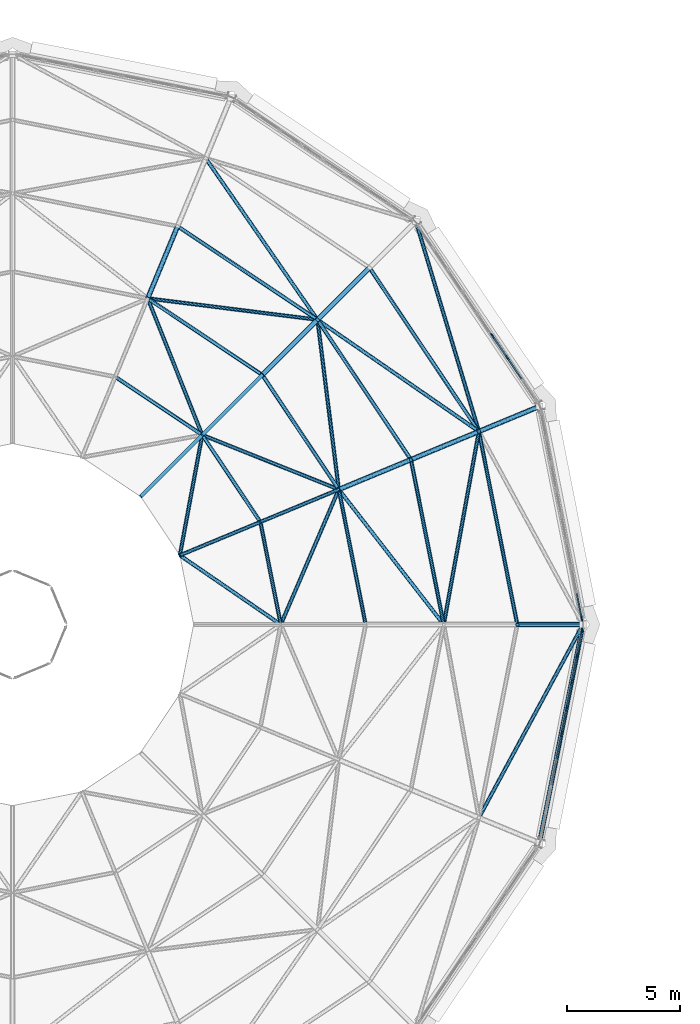
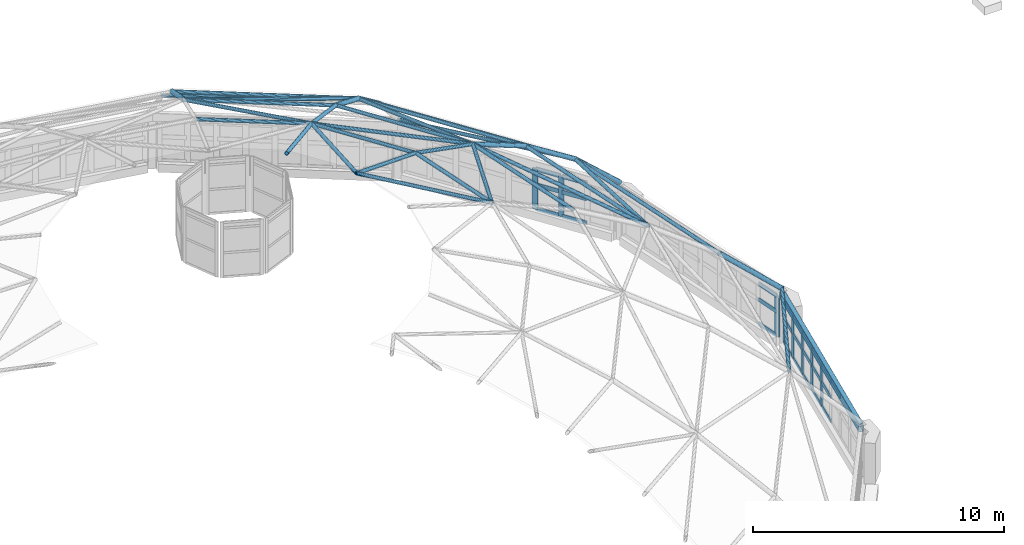
# One storey, part 22 of 68: 68 members, 1 beam, 3 elements without a shape of their own.
"""IFC4 building model written with IfcOpenShell, lengths in metres."""

from ifc_helpers import new_model, si_unit, direction, frame, origin, origin_2d, place, context, subcontext, project, spatial, rectangle, hollow_rectangle, hollow_circle, extrude, material, material_profile, profile_set, type_object, element, aggregate, save


model = new_model("IFC4")

# Units and contexts
model_context = context("Model", 3, precision=1e-05, world=origin(), true_north=direction((0.0, 1.0)))
body_context = subcontext(model_context, "Body", "Model", "MODEL_VIEW")
ifc_project = project(units=[si_unit("LENGTHUNIT", "METRE"), si_unit("AREAUNIT", "SQUARE_METRE"), si_unit("VOLUMEUNIT", "CUBIC_METRE"), si_unit("PLANEANGLEUNIT", "RADIAN"), si_unit("MASSUNIT", "GRAM", prefix="KILO")], contexts=[model_context])

# Site, building, storey
site_placement = place(None, origin())
site = spatial("IfcSite", under=ifc_project, at=site_placement, CompositionType="ELEMENT")
building_placement = place(site_placement, origin())
building = spatial("IfcBuilding", under=site, at=building_placement, Name="Kupolbacken Congress Centre", CompositionType="ELEMENT")
storey_placement = place(building_placement, frame((0.0, 0.0, 25.199951171875)))
storey = spatial("IfcBuildingStorey", under=building, at=storey_placement, Name="L07", CompositionType="ELEMENT", Elevation=25.199951171875)

# Beam
ifc_material_1 = material(Name="Steel S355", Category="steel")
ifc_material_profile_1 = material_profile(ifc_material_1, hollow_rectangle(XDim=0.199951171875, YDim=0.39990234375, WallThickness=0.012451171875, InnerFilletRadius=0.012451171875, OuterFilletRadius=0.018798828125, at=origin_2d()), Name="RHS 400 x 200 x 12.5")
ifc_profile_set_1 = profile_set([ifc_material_profile_1], Name="Steel S355")
beam_type = type_object("IfcBeamType", Name="B19 ring beam RHS 400 x 200 x 12.5", PredefinedType="BEAM", material=ifc_profile_set_1)
beam_placement = place(storey_placement, frame((66.485595703125, 76.77587890625, 2.590087890625), z_axis=(0.195109207038, 0.98078152375, 0.0), x_axis=(-0.98078152375, 0.195109207038, 0.0)))
element("IfcBeam", 1, at=beam_placement, inside=storey, type_object=beam_type, Name="DM/RB/16", PredefinedType="BEAM", context=body_context, shape_type="SweptSolid", body=[
    extrude(hollow_rectangle(XDim=0.199951171875, YDim=0.39990234375, WallThickness=0.012451171875, InnerFilletRadius=0.012451171875, OuterFilletRadius=0.018798828125, at=origin_2d()), origin(), (0.0, 0.0, 1.0), 9.792724609375),
])

# Members
ifc_material_2 = material(Name="Steel S355", Category="steel")
ifc_material_profile_2 = material_profile(ifc_material_2, hollow_circle(Radius=0.109619140625, WallThickness=0.010009765625, at=origin_2d()), Name="CHS 219.1 x 10")
ifc_profile_set_2 = profile_set([ifc_material_profile_2], Name="Steel S355")
member_type_1 = type_object("IfcMemberType", Name="M15 dome rib CHS 219.1 x 10", PredefinedType="BRACE", material=ifc_profile_set_2)
for number, where, z_axis, x_axis, name in (
    (2, (68.39990234375, 86.39990234375, 2.86279296875), (-0.727199888988, 0.0, 0.686425758153), (0.0, -1.0, 0.0), "DM/RIB01-01"),
    (3, (66.481689453125, 96.043701171875, 2.86279296875), (-0.671844865625, -0.278312990626, 0.686415585328), (0.382713638863, -0.923867019992, 0.0), "DM/RIB01-02"),
):
    element("IfcMember", number, at=place(storey_placement, frame(where, z_axis=z_axis, x_axis=x_axis)), inside=storey, type_object=member_type_1, Name=name, PredefinedType="BRACE", context=body_context, shape_type="SweptSolid", body=[
        extrude(hollow_circle(Radius=0.109619140625, WallThickness=0.010009765625, at=origin_2d()), origin(), (0.0, 0.0, 1.0), 3.98779296875),
    ])
for number, where, z_axis, x_axis, name in (
    (4, (63.802490234375, 94.933837890625, 5.60009765625), (-0.737757183108, -0.305564280897, 0.601950836043), (0.382656976802, -0.92389049032, 0.0), "DM/RIB02-02"),
    (5, (58.968505859375, 102.16845703125, 5.60009765625), (-0.564645261565, -0.564645261565, 0.601956358207), (0.707106781187, -0.707106781187, 0.0), "DM/RIB02-03"),
):
    element("IfcMember", number, at=place(storey_placement, frame(where, z_axis=z_axis, x_axis=x_axis)), inside=storey, type_object=member_type_1, Name=name, PredefinedType="BRACE", context=body_context, shape_type="SweptSolid", body=[
        extrude(hollow_circle(Radius=0.109619140625, WallThickness=0.010009765625, at=origin_2d()), origin(), (0.0, 0.0, 1.0), 4.070068359375),
    ])
for number, where, z_axis, x_axis, name in (
    (6, (60.7998046875, 93.690185546875, 8.050048828125), (-0.799269872687, -0.331095478475, 0.50154107982), (0.382710127237, -0.923868474682, 0.0), "DM/RIB03-02"),
    (7, (56.67041015625, 99.870361328125, 8.050048828125), (-0.611742244633, -0.611742244633, 0.501540479187), (0.707106781187, -0.707106781187, 0.0), "DM/RIB03-03"),
    (8, (50.490234375, 104.0, 8.050048828125), (-0.331079277244, -0.799291982933, 0.501516538311), (0.923878838758, -0.38268510723, 0.0), "DM/RIB03-04"),
):
    element("IfcMember", number, at=place(storey_placement, frame(where, z_axis=z_axis, x_axis=x_axis)), inside=storey, type_object=member_type_1, Name=name, PredefinedType="BRACE", context=body_context, shape_type="SweptSolid", body=[
        extrude(hollow_circle(Radius=0.109619140625, WallThickness=0.010009765625, at=origin_2d()), origin(), (0.0, 0.0, 1.0), 3.98779296875),
    ])
ifc_material_3 = material(Name="Steel S355", Category="steel")
ifc_material_profile_3 = material_profile(ifc_material_3, hollow_circle(Radius=0.084228515625, WallThickness=0.008056640625, at=origin_2d()), Name="CHS 168.3 x 8")
ifc_profile_set_3 = profile_set([ifc_material_profile_3], Name="Steel S355")
member_type_2 = type_object("IfcMemberType", Name="M16 dome rib CHS 168.3 x 8", PredefinedType="BRACE", material=ifc_profile_set_3)
for number, where, z_axis, x_axis, name in (
    (9, (57.612548828125, 92.369873046875, 10.050048828125), (-0.845652822818, -0.350274631282, 0.402714521641), (0.382677616283, -0.92388194159, 0.0), "DM/RIB04-02"),
    (10, (54.23095703125, 97.430908203125, 10.050048828125), (-0.647264758158, -0.647205168326, 0.402708086507), (0.707074229373, -0.707139331502, 0.0), "DM/RIB04-03"),
):
    element("IfcMember", number, at=place(storey_placement, frame(where, z_axis=z_axis, x_axis=x_axis)), inside=storey, type_object=member_type_2, Name=name, PredefinedType="BRACE", context=body_context, shape_type="SweptSolid", body=[
        extrude(hollow_circle(Radius=0.084228515625, WallThickness=0.008056640625, at=origin_2d()), origin(), (0.0, 0.0, 1.0), 4.096923828125),
    ])
for number, where, z_axis, x_axis, name in (
    (11, (54.14794921875, 90.934814453125, 11.699951171875), (-0.885215241603, -0.366687760524, 0.28624126592), (0.382700894154, -0.923872299408, 0.0), "DM/RIB05-02"),
    (12, (51.5791015625, 94.779296875, 11.699951171875), (-0.677488256069, -0.677549017347, 0.286246383349), (0.707138487878, -0.707075073073, 0.0), "DM/RIB05-03"),
):
    element("IfcMember", number, at=place(storey_placement, frame(where, z_axis=z_axis, x_axis=x_axis)), inside=storey, type_object=member_type_2, Name=name, PredefinedType="BRACE", context=body_context, shape_type="SweptSolid", body=[
        extrude(hollow_circle(Radius=0.084228515625, WallThickness=0.008056640625, at=origin_2d()), origin(), (0.0, 0.0, 1.0), 4.01806640625),
    ])
member_1_placement = place(storey_placement, frame((63.802490234375, 94.933837890625, 5.60009765625), z_axis=(-0.276342224916, 0.921835584423, -0.271761163561), x_axis=(-0.957885879919, -0.287149161678, 0.0)))
element("IfcMember", 13, at=member_1_placement, inside=storey, type_object=member_type_2, Name="DM/DIA01-02", PredefinedType="BRACE", context=body_context, shape_type="SweptSolid", body=[
    extrude(hollow_circle(Radius=0.084228515625, WallThickness=0.008056640625, at=origin_2d()), origin(), (0.0, 0.0, 1.0), 10.072509765625),
])
member_2_placement = place(storey_placement, frame((63.802490234375, 77.8662109375, 5.60009765625), z_axis=(0.456437324519, 0.847236484585, -0.271763330811), x_axis=(-0.88036998718, 0.47428755589, 0.0)))
element("IfcMember", 14, at=member_2_placement, inside=storey, type_object=member_type_2, Name="DM/DIA01-16", PredefinedType="BRACE", context=body_context, shape_type="SweptSolid", body=[
    extrude(hollow_circle(Radius=0.084228515625, WallThickness=0.008056640625, at=origin_2d()), origin(), (0.0, 0.0, 1.0), 10.072265625),
])
member_3_placement = place(storey_placement, frame((62.25, 86.39990234375, 8.050048828125), z_axis=(0.172243352288, 0.946810249917, -0.271813499011), x_axis=(-0.983852342095, 0.178982035285, 0.0)))
element("IfcMember", 15, at=member_3_placement, inside=storey, type_object=member_type_2, Name="DM/DIA02-01", PredefinedType="BRACE", context=body_context, shape_type="SweptSolid", body=[
    extrude(hollow_circle(Radius=0.084228515625, WallThickness=0.008056640625, at=origin_2d()), origin(), (0.0, 0.0, 1.0), 9.013427734375),
])
for number, where, z_axis, x_axis, name in (
    (16, (63.802490234375, 94.933837890625, 5.60009765625), (-0.791291238363, 0.547698245292, 0.271817600964), (-0.569126549041, -0.822249944467, 0.0), "DM/DIA02-02"),
    (17, (56.67041015625, 99.870361328125, 8.050048828125), (-0.547698245292, 0.791291238363, -0.271817600964), (-0.822249944467, -0.569126549041, 0.0), "DM/DIA02-03"),
):
    element("IfcMember", number, at=place(storey_placement, frame(where, z_axis=z_axis, x_axis=x_axis)), inside=storey, type_object=member_type_2, Name=name, PredefinedType="BRACE", context=body_context, shape_type="SweptSolid", body=[
        extrude(hollow_circle(Radius=0.084228515625, WallThickness=0.008056640625, at=origin_2d()), origin(), (0.0, 0.0, 1.0), 9.01318359375),
    ])
for number, where, z_axis, x_axis, name in (
    (18, (62.25, 86.39990234375, 8.050048828125), (-0.593053038879, 0.763460171609, 0.255766806765), (-0.789727693919, -0.613457553102, 0.0), "DM/DIA03-01"),
    (19, (57.612548828125, 92.369873046875, 10.050048828125), (-0.120485430694, 0.959200155943, -0.255770056555), (-0.99220316794, -0.124630949322, 0.0), "DM/DIA03-02"),
    (20, (56.67041015625, 99.870361328125, 8.050048828125), (-0.959200155943, 0.120485430694, 0.255770056555), (-0.124630949322, -0.99220316794, 0.0), "DM/DIA03-03"),
):
    element("IfcMember", number, at=place(storey_placement, frame(where, z_axis=z_axis, x_axis=x_axis)), inside=storey, type_object=member_type_2, Name=name, PredefinedType="BRACE", context=body_context, shape_type="SweptSolid", body=[
        extrude(hollow_circle(Radius=0.084228515625, WallThickness=0.008056640625, at=origin_2d()), origin(), (0.0, 0.0, 1.0), 7.819580078125),
    ])
for number, where, z_axis, x_axis, name in (
    (21, (55.050048828125, 86.39990234375, 11.699951171875), (0.38229608389, 0.890652261752, -0.246146811635), (-0.918925242936, 0.394431740476, 0.0), "DM/DIA04-01"),
    (22, (57.612548828125, 92.369873046875, 10.050048828125), (-0.900113707655, 0.359455435635, 0.246144476038), (-0.370865808753, -0.928686465874, 0.0), "DM/DIA04-02"),
):
    element("IfcMember", number, at=place(storey_placement, frame(where, z_axis=z_axis, x_axis=x_axis)), inside=storey, type_object=member_type_2, Name=name, PredefinedType="BRACE", context=body_context, shape_type="SweptSolid", body=[
        extrude(hollow_circle(Radius=0.084228515625, WallThickness=0.008056640625, at=origin_2d()), origin(), (0.0, 0.0, 1.0), 6.702880859375),
    ])
member_4_placement = place(storey_placement, frame((51.5791015625, 94.779296875, 11.699951171875), z_axis=(-0.359435502637, 0.900118579364, -0.246155768831), x_axis=(-0.928694240238, -0.370846340347, 0.0)))
element("IfcMember", 23, at=member_4_placement, inside=storey, type_object=member_type_2, Name="DM/DIA04-03", PredefinedType="BRACE", context=body_context, shape_type="SweptSolid", body=[
    extrude(hollow_circle(Radius=0.084228515625, WallThickness=0.008056640625, at=origin_2d()), origin(), (0.0, 0.0, 1.0), 6.70263671875),
])
for number, where, z_axis, x_axis, name in (
    (24, (55.050048828125, 86.39990234375, 11.699951171875), (-0.806360510339, 0.553644371422, 0.207991916569), (-0.56602298576, -0.824389458685, 0.0), "DM/DIA05-01"),
    (25, (50.591064453125, 89.46142578125, 12.85009765625), (0.178674668833, 0.96167324846, -0.207990206294), (-0.983174378952, 0.182669484511, 0.0), "DM/DIA05-02"),
):
    element("IfcMember", number, at=place(storey_placement, frame(where, z_axis=z_axis, x_axis=x_axis)), inside=storey, type_object=member_type_2, Name=name, PredefinedType="BRACE", context=body_context, shape_type="SweptSolid", body=[
        extrude(hollow_circle(Radius=0.084228515625, WallThickness=0.008056640625, at=origin_2d()), origin(), (0.0, 0.0, 1.0), 5.52978515625),
    ])
ifc_material_4 = material(Name="Steel S355", Category="steel")
ifc_material_profile_4 = material_profile(ifc_material_4, hollow_circle(Radius=0.084228515625, WallThickness=0.008056640625, at=origin_2d()), Name="CHS 168.3 x 8")
ifc_profile_set_4 = profile_set([ifc_material_profile_4], Name="Steel S355")
member_type_3 = type_object("IfcMemberType", Name="M17 dome ring CHS 168.3 x 8", PredefinedType="BRACE", material=ifc_profile_set_4)
member_5_placement = place(storey_placement, frame((65.5, 86.39990234375, 5.60009765625), z_axis=(-0.195090813198, 0.980785182701, 0.0), x_axis=(-0.980785182701, -0.195090813198, 0.0)))
element("IfcMember", 26, at=member_5_placement, inside=storey, type_object=member_type_3, Name="DM/RNG01-01", PredefinedType="BRACE", context=body_context, shape_type="SweptSolid", body=[
    extrude(hollow_circle(Radius=0.084228515625, WallThickness=0.008056640625, at=origin_2d()), origin(), (0.0, 0.0, 1.0), 8.701171875),
])
member_6_placement = place(storey_placement, frame((63.802490234375, 94.933837890625, 5.60009765625), z_axis=(-0.555567564243, 0.831471395516, 0.0), x_axis=(-0.831471395516, -0.555567564243, 0.0)))
element("IfcMember", 27, at=member_6_placement, inside=storey, type_object=member_type_3, Name="DM/RNG01-02", PredefinedType="BRACE", context=body_context, shape_type="SweptSolid", body=[
    extrude(hollow_circle(Radius=0.084228515625, WallThickness=0.008056640625, at=origin_2d()), origin(), (0.0, 0.0, 1.0), 8.700927734375),
])
member_7_placement = place(storey_placement, frame((62.25, 86.39990234375, 8.050048828125), z_axis=(-0.195099098992, 0.980783534513, 0.0), x_axis=(-0.980783534513, -0.195099098992, 0.0)))
element("IfcMember", 28, at=member_7_placement, inside=storey, type_object=member_type_3, Name="DM/RNG02-01", PredefinedType="BRACE", context=body_context, shape_type="SweptSolid", body=[
    extrude(hollow_circle(Radius=0.084228515625, WallThickness=0.008056640625, at=origin_2d()), origin(), (0.0, 0.0, 1.0), 7.43310546875),
])
for number, where, z_axis, x_axis, name in (
    (29, (60.7998046875, 93.690185546875, 8.050048828125), (-0.555564010073, 0.831473770309, 0.0), (-0.831473770309, -0.555564010073, 0.0), "DM/RNG02-02"),
    (30, (56.67041015625, 99.870361328125, 8.050048828125), (-0.831458597311, 0.555586717766, 0.0), (-0.555586717766, -0.831458597311, 0.0), "DM/RNG02-03"),
):
    element("IfcMember", number, at=place(storey_placement, frame(where, z_axis=z_axis, x_axis=x_axis)), inside=storey, type_object=member_type_3, Name=name, PredefinedType="BRACE", context=body_context, shape_type="SweptSolid", body=[
        extrude(hollow_circle(Radius=0.084228515625, WallThickness=0.008056640625, at=origin_2d()), origin(), (0.0, 0.0, 1.0), 7.432861328125),
    ])
for number, where, z_axis, x_axis, name in (
    (31, (58.800048828125, 86.39990234375, 10.050048828125), (-0.195090163074, 0.980785312019, 0.0), (-0.980785312019, -0.195090163074, 0.0), "DM/RNG03-01"),
    (32, (57.612548828125, 92.369873046875, 10.050048828125), (-0.555560717191, 0.831475970497, 0.0), (-0.831475970497, -0.555560717191, 0.0), "DM/RNG03-02"),
    (33, (54.23095703125, 97.430908203125, 10.050048828125), (-0.831475970497, 0.555560717191, 0.0), (-0.555560717191, -0.831475970497, 0.0), "DM/RNG03-03"),
):
    element("IfcMember", number, at=place(storey_placement, frame(where, z_axis=z_axis, x_axis=x_axis)), inside=storey, type_object=member_type_3, Name=name, PredefinedType="BRACE", context=body_context, shape_type="SweptSolid", body=[
        extrude(hollow_circle(Radius=0.084228515625, WallThickness=0.008056640625, at=origin_2d()), origin(), (0.0, 0.0, 1.0), 6.0869140625),
    ])
for number, where, z_axis, x_axis, name in (
    (34, (55.050048828125, 86.39990234375, 11.699951171875), (-0.195100621324, 0.980783231687, 0.0), (-0.980783231687, -0.195100621324, 0.0), "DM/RNG04-01"),
    (35, (54.14794921875, 90.934814453125, 11.699951171875), (-0.555577204826, 0.831464953848, 0.0), (-0.831464953848, -0.555577204826, 0.0), "DM/RNG04-02"),
):
    element("IfcMember", number, at=place(storey_placement, frame(where, z_axis=z_axis, x_axis=x_axis)), inside=storey, type_object=member_type_3, Name=name, PredefinedType="BRACE", context=body_context, shape_type="SweptSolid", body=[
        extrude(hollow_circle(Radius=0.084228515625, WallThickness=0.008056640625, at=origin_2d()), origin(), (0.0, 0.0, 1.0), 4.623779296875),
    ])
member_8_placement = place(storey_placement, frame((51.5791015625, 94.779296875, 11.699951171875), z_axis=(-0.831473047603, 0.555565091695, 0.0), x_axis=(-0.555565091695, -0.831473047603, 0.0)))
element("IfcMember", 36, at=member_8_placement, inside=storey, type_object=member_type_3, Name="DM/RNG04-03", PredefinedType="BRACE", context=body_context, shape_type="SweptSolid", body=[
    extrude(hollow_circle(Radius=0.084228515625, WallThickness=0.008056640625, at=origin_2d()), origin(), (0.0, 0.0, 1.0), 4.623291015625),
])

# Curtain wall, members
ifc_material_5 = material(Name="Aluminium mullion-transom frame with glass", Category="aluminium")
curtain_wall_type = type_object("IfcCurtainWallType", Name="CW3 curtain wall 9830x3600", PredefinedType="NOTDEFINED", material=ifc_material_5)
curtain_wall_1_placement = place(storey_placement, origin())
curtain_wall_1 = element("IfcCurtainWall", 37, at=curtain_wall_1_placement, inside=storey, type_object=curtain_wall_type, Name="E/P/drum/cw/L07/07", PredefinedType="NOTDEFINED")
ifc_material_6 = material(Name="Aluminium alloy", Category="aluminium")
ifc_material_profile_5 = material_profile(ifc_material_6, rectangle(XDim=0.06005859375, YDim=0.25, at=origin_2d()), Name="60 x 250")
ifc_profile_set_5 = profile_set([ifc_material_profile_5], Name="Aluminium alloy")
member_type_4 = type_object("IfcMemberType", Name="MU3 mullion 60x250", PredefinedType="MULLION", material=ifc_profile_set_5)
member_9_placement = place(storey_placement, frame((67.449951171875, 81.574951171875, 0.400146484375), z_axis=(0.0, 0.0, 1.0), x_axis=(-0.981162875481, 0.193182327812, 0.0)))
member_9 = element("IfcMember", 38, at=member_9_placement, type_object=member_type_4, Name="CW3 mullion 5", PredefinedType="MULLION", context=body_context, shape_type="SweptSolid", body=[
    extrude(rectangle(XDim=0.06005859375, YDim=0.25, at=origin_2d()), origin(), (0.0, 0.0, 1.0), 1.989990234375),
])
member_10_placement = place(storey_placement, frame((67.675537109375, 82.719970703125, 0.400146484375), z_axis=(0.0, 0.0, 1.0), x_axis=(-0.981162875481, 0.193182327812, 0.0)))
member_10 = element("IfcMember", 39, at=member_10_placement, type_object=member_type_4, Name="CW3 mullion 6", PredefinedType="MULLION", context=body_context, shape_type="SweptSolid", body=[
    extrude(rectangle(XDim=0.06005859375, YDim=0.25, at=origin_2d()), origin(), (0.0, 0.0, 1.0), 1.989990234375),
])
member_11_placement = place(storey_placement, frame((67.90087890625, 83.86474609375, 0.400146484375), z_axis=(0.0, 0.0, 1.0), x_axis=(-0.981162875481, 0.193182327812, 0.0)))
member_11 = element("IfcMember", 40, at=member_11_placement, type_object=member_type_4, Name="CW3 mullion 7", PredefinedType="MULLION", context=body_context, shape_type="SweptSolid", body=[
    extrude(rectangle(XDim=0.06005859375, YDim=0.25, at=origin_2d()), origin(), (0.0, 0.0, 1.0), 1.989990234375),
])
member_12_placement = place(storey_placement, frame((68.126220703125, 85.009765625, 0.400146484375), z_axis=(0.0, 0.0, 1.0), x_axis=(-0.981162875481, 0.193182327812, 0.0)))
member_12 = element("IfcMember", 41, at=member_12_placement, type_object=member_type_4, Name="CW3 mullion 8", PredefinedType="MULLION", context=body_context, shape_type="SweptSolid", body=[
    extrude(rectangle(XDim=0.06005859375, YDim=0.25, at=origin_2d()), origin(), (0.0, 0.0, 1.0), 1.989990234375),
])
member_13_placement = place(storey_placement, frame((68.345947265625, 86.125244140625, 0.400146484375), z_axis=(0.0, 0.0, 1.0), x_axis=(-0.981162875481, 0.193182327812, 0.0)))
member_13 = element("IfcMember", 42, at=member_13_placement, type_object=member_type_4, Name="CW3 mullion 9", PredefinedType="MULLION", context=body_context, shape_type="SweptSolid", body=[
    extrude(rectangle(XDim=0.06005859375, YDim=0.25, at=origin_2d()), origin(), (0.0, 0.0, 1.0), 1.989990234375),
])

# Curtain wall, member
curtain_wall_2_placement = place(storey_placement, origin())
curtain_wall_2 = element("IfcCurtainWall", 43, at=curtain_wall_2_placement, inside=storey, type_object=curtain_wall_type, Name="E/P/drum/cw/L07/08", PredefinedType="NOTDEFINED")
member_14_placement = place(storey_placement, frame((68.345947265625, 86.6748046875, 0.400146484375), z_axis=(0.0, 0.0, 1.0), x_axis=(-0.981162875481, -0.193182327812, 0.0)))
member_14 = element("IfcMember", 44, at=member_14_placement, type_object=member_type_4, Name="CW3 mullion 1", PredefinedType="MULLION", context=body_context, shape_type="SweptSolid", body=[
    extrude(rectangle(XDim=0.06005859375, YDim=0.25, at=origin_2d()), origin(), (0.0, 0.0, 1.0), 1.989990234375),
])

# Curtain wall, members
curtain_wall_3_placement = place(storey_placement, origin())
curtain_wall_3 = element("IfcCurtainWall", 45, at=curtain_wall_3_placement, inside=storey, type_object=curtain_wall_type, Name="E/P/drum/cw/L07/09", PredefinedType="NOTDEFINED")
member_15_placement = place(storey_placement, frame((65.05517578125, 98.191162109375, 0.400146484375), z_axis=(0.0, 0.0, 1.0), x_axis=(-0.82890762338, -0.559385512775, 0.0)))
member_15 = element("IfcMember", 46, at=member_15_placement, type_object=member_type_4, Name="CW3 mullion 3", PredefinedType="MULLION", context=body_context, shape_type="SweptSolid", body=[
    extrude(rectangle(XDim=0.06005859375, YDim=0.25, at=origin_2d()), origin(), (0.0, 0.0, 1.0), 1.989990234375),
])
member_16_placement = place(storey_placement, frame((64.402587890625, 99.157958984375, 0.400146484375), z_axis=(0.0, 0.0, 1.0), x_axis=(-0.82890762338, -0.559385512775, 0.0)))
member_16 = element("IfcMember", 47, at=member_16_placement, type_object=member_type_4, Name="CW3 mullion 4", PredefinedType="MULLION", context=body_context, shape_type="SweptSolid", body=[
    extrude(rectangle(XDim=0.06005859375, YDim=0.25, at=origin_2d()), origin(), (0.0, 0.0, 1.0), 1.989990234375),
])

# Member
ifc_material_7 = material(Name="Aluminium alloy", Category="aluminium")
ifc_material_profile_6 = material_profile(ifc_material_7, rectangle(XDim=0.06005859375, YDim=0.199951171875, at=origin_2d()), Name="60 x 200")
ifc_profile_set_6 = profile_set([ifc_material_profile_6], Name="Aluminium alloy")
member_type_5 = type_object("IfcMemberType", Name="TR3 transom 60x200", PredefinedType="MULLION", material=ifc_profile_set_6)
member_17_placement = place(storey_placement, frame((67.0048828125, 79.314697265625, 2.360107421875), z_axis=(0.193230739208, 0.981153342462, 0.0), x_axis=(-0.981153342462, 0.193230739208, 0.0)))
member_17 = element("IfcMember", 48, at=member_17_placement, type_object=member_type_5, Name="CW3 transom 3.3", PredefinedType="MULLION", context=body_context, shape_type="SweptSolid", body=[
    extrude(rectangle(XDim=0.06005859375, YDim=0.199951171875, at=origin_2d()), origin(), (0.0, 0.0, 1.0), 1.106689453125),
])

member_18_placement = place(storey_placement, frame((67.23046875, 80.45947265625, 0.429931640625), z_axis=(0.192976609908, 0.981203357122, 0.0), x_axis=(-0.981203357122, 0.192976609908, 0.0)))
member_18 = element("IfcMember", 49, at=member_18_placement, type_object=member_type_5, Name="CW3 transom 4.1", PredefinedType="MULLION", context=body_context, shape_type="SweptSolid", body=[
    extrude(rectangle(XDim=0.06005859375, YDim=0.199951171875, at=origin_2d()), origin(), (0.0, 0.0, 1.0), 1.10693359375),
])

member_19_placement = place(storey_placement, frame((67.23046875, 80.45947265625, 1.60009765625), z_axis=(0.192976609908, 0.981203357122, 0.0), x_axis=(-0.981203357122, 0.192976609908, 0.0)))
member_19 = element("IfcMember", 50, at=member_19_placement, type_object=member_type_5, Name="CW3 transom 4.2", PredefinedType="MULLION", context=body_context, shape_type="SweptSolid", body=[
    extrude(rectangle(XDim=0.06005859375, YDim=0.199951171875, at=origin_2d()), origin(), (0.0, 0.0, 1.0), 1.10693359375),
])

member_20_placement = place(storey_placement, frame((67.23046875, 80.45947265625, 2.360107421875), z_axis=(0.192976609908, 0.981203357122, 0.0), x_axis=(-0.981203357122, 0.192976609908, 0.0)))
member_20 = element("IfcMember", 51, at=member_20_placement, type_object=member_type_5, Name="CW3 transom 4.3", PredefinedType="MULLION", context=body_context, shape_type="SweptSolid", body=[
    extrude(rectangle(XDim=0.06005859375, YDim=0.199951171875, at=origin_2d()), origin(), (0.0, 0.0, 1.0), 1.10693359375),
])

member_21_placement = place(storey_placement, frame((67.455810546875, 81.6044921875, 0.429931640625), z_axis=(0.193230739208, 0.981153342462, 0.0), x_axis=(-0.981153342462, 0.193230739208, 0.0)))
member_21 = element("IfcMember", 52, at=member_21_placement, type_object=member_type_5, Name="CW3 transom 5.1", PredefinedType="MULLION", context=body_context, shape_type="SweptSolid", body=[
    extrude(rectangle(XDim=0.06005859375, YDim=0.199951171875, at=origin_2d()), origin(), (0.0, 0.0, 1.0), 1.106689453125),
])

member_22_placement = place(storey_placement, frame((67.455810546875, 81.6044921875, 1.60009765625), z_axis=(0.193230739208, 0.981153342462, 0.0), x_axis=(-0.981153342462, 0.193230739208, 0.0)))
member_22 = element("IfcMember", 53, at=member_22_placement, type_object=member_type_5, Name="CW3 transom 5.2", PredefinedType="MULLION", context=body_context, shape_type="SweptSolid", body=[
    extrude(rectangle(XDim=0.06005859375, YDim=0.199951171875, at=origin_2d()), origin(), (0.0, 0.0, 1.0), 1.106689453125),
])

member_23_placement = place(storey_placement, frame((67.455810546875, 81.6044921875, 2.360107421875), z_axis=(0.193230739208, 0.981153342462, 0.0), x_axis=(-0.981153342462, 0.193230739208, 0.0)))
member_23 = element("IfcMember", 54, at=member_23_placement, type_object=member_type_5, Name="CW3 transom 5.3", PredefinedType="MULLION", context=body_context, shape_type="SweptSolid", body=[
    extrude(rectangle(XDim=0.06005859375, YDim=0.199951171875, at=origin_2d()), origin(), (0.0, 0.0, 1.0), 1.106689453125),
])

member_24_placement = place(storey_placement, frame((67.68115234375, 82.749267578125, 0.429931640625), z_axis=(0.193188927968, 0.981161575945, 0.0), x_axis=(-0.981161575945, 0.193188927968, 0.0)))
member_24 = element("IfcMember", 55, at=member_24_placement, type_object=member_type_5, Name="CW3 transom 6.1", PredefinedType="MULLION", context=body_context, shape_type="SweptSolid", body=[
    extrude(rectangle(XDim=0.06005859375, YDim=0.199951171875, at=origin_2d()), origin(), (0.0, 0.0, 1.0), 1.10693359375),
])

member_25_placement = place(storey_placement, frame((67.68115234375, 82.749267578125, 1.60009765625), z_axis=(0.193188927968, 0.981161575945, 0.0), x_axis=(-0.981161575945, 0.193188927968, 0.0)))
member_25 = element("IfcMember", 56, at=member_25_placement, type_object=member_type_5, Name="CW3 transom 6.2", PredefinedType="MULLION", context=body_context, shape_type="SweptSolid", body=[
    extrude(rectangle(XDim=0.06005859375, YDim=0.199951171875, at=origin_2d()), origin(), (0.0, 0.0, 1.0), 1.10693359375),
])

member_26_placement = place(storey_placement, frame((67.68115234375, 82.749267578125, 2.360107421875), z_axis=(0.193188927968, 0.981161575945, 0.0), x_axis=(-0.981161575945, 0.193188927968, 0.0)))
member_26 = element("IfcMember", 57, at=member_26_placement, type_object=member_type_5, Name="CW3 transom 6.3", PredefinedType="MULLION", context=body_context, shape_type="SweptSolid", body=[
    extrude(rectangle(XDim=0.06005859375, YDim=0.199951171875, at=origin_2d()), origin(), (0.0, 0.0, 1.0), 1.10693359375),
])

member_27_placement = place(storey_placement, frame((67.90673828125, 83.894287109375, 0.429931640625), z_axis=(0.192976609908, 0.981203357122, 0.0), x_axis=(-0.981203357122, 0.192976609908, 0.0)))
member_27 = element("IfcMember", 58, at=member_27_placement, type_object=member_type_5, Name="CW3 transom 7.1", PredefinedType="MULLION", context=body_context, shape_type="SweptSolid", body=[
    extrude(rectangle(XDim=0.06005859375, YDim=0.199951171875, at=origin_2d()), origin(), (0.0, 0.0, 1.0), 1.10693359375),
])

member_28_placement = place(storey_placement, frame((67.90673828125, 83.894287109375, 1.60009765625), z_axis=(0.192976609908, 0.981203357122, 0.0), x_axis=(-0.981203357122, 0.192976609908, 0.0)))
member_28 = element("IfcMember", 59, at=member_28_placement, type_object=member_type_5, Name="CW3 transom 7.2", PredefinedType="MULLION", context=body_context, shape_type="SweptSolid", body=[
    extrude(rectangle(XDim=0.06005859375, YDim=0.199951171875, at=origin_2d()), origin(), (0.0, 0.0, 1.0), 1.10693359375),
])

member_29_placement = place(storey_placement, frame((67.90673828125, 83.894287109375, 2.360107421875), z_axis=(0.192976609908, 0.981203357122, 0.0), x_axis=(-0.981203357122, 0.192976609908, 0.0)))
member_29 = element("IfcMember", 60, at=member_29_placement, type_object=member_type_5, Name="CW3 transom 7.3", PredefinedType="MULLION", context=body_context, shape_type="SweptSolid", body=[
    extrude(rectangle(XDim=0.06005859375, YDim=0.199951171875, at=origin_2d()), origin(), (0.0, 0.0, 1.0), 1.10693359375),
])

member_30_placement = place(storey_placement, frame((68.132080078125, 85.039306640625, 0.429931640625), z_axis=(0.193150665626, 0.981169108955, 0.0), x_axis=(-0.981169108955, 0.193150665626, 0.0)))
member_30 = element("IfcMember", 61, at=member_30_placement, type_object=member_type_5, Name="CW3 transom 8.1", PredefinedType="MULLION", context=body_context, shape_type="SweptSolid", body=[
    extrude(rectangle(XDim=0.06005859375, YDim=0.199951171875, at=origin_2d()), origin(), (0.0, 0.0, 1.0), 1.076904296875),
])

member_31_placement = place(storey_placement, frame((68.132080078125, 85.039306640625, 1.60009765625), z_axis=(0.193150665626, 0.981169108955, 0.0), x_axis=(-0.981169108955, 0.193150665626, 0.0)))
member_31 = element("IfcMember", 62, at=member_31_placement, type_object=member_type_5, Name="CW3 transom 8.2", PredefinedType="MULLION", context=body_context, shape_type="SweptSolid", body=[
    extrude(rectangle(XDim=0.06005859375, YDim=0.199951171875, at=origin_2d()), origin(), (0.0, 0.0, 1.0), 1.076904296875),
])

member_32_placement = place(storey_placement, frame((68.132080078125, 85.039306640625, 2.360107421875), z_axis=(0.193150665626, 0.981169108955, 0.0), x_axis=(-0.981169108955, 0.193150665626, 0.0)))
member_32 = element("IfcMember", 63, at=member_32_placement, type_object=member_type_5, Name="CW3 transom 8.3", PredefinedType="MULLION", context=body_context, shape_type="SweptSolid", body=[
    extrude(rectangle(XDim=0.06005859375, YDim=0.199951171875, at=origin_2d()), origin(), (0.0, 0.0, 1.0), 1.076904296875),
])

aggregate(curtain_wall_1, [member_9, member_10, member_11, member_12, member_13, member_17, member_18, member_19, member_20, member_21, member_22, member_23, member_24, member_25, member_26, member_27, member_28, member_29, member_30, member_31, member_32])

member_33_placement = place(storey_placement, frame((68.340087890625, 86.7041015625, 0.429931640625), z_axis=(-0.193150665626, 0.981169108955, 0.0), x_axis=(-0.981169108955, -0.193150665626, 0.0)))
member_33 = element("IfcMember", 64, at=member_33_placement, type_object=member_type_5, Name="CW3 transom 1.1", PredefinedType="MULLION", context=body_context, shape_type="SweptSolid", body=[
    extrude(rectangle(XDim=0.06005859375, YDim=0.199951171875, at=origin_2d()), origin(), (0.0, 0.0, 1.0), 1.076904296875),
])

member_34_placement = place(storey_placement, frame((68.340087890625, 86.7041015625, 1.60009765625), z_axis=(-0.193150665626, 0.981169108955, 0.0), x_axis=(-0.981169108955, -0.193150665626, 0.0)))
member_34 = element("IfcMember", 65, at=member_34_placement, type_object=member_type_5, Name="CW3 transom 1.2", PredefinedType="MULLION", context=body_context, shape_type="SweptSolid", body=[
    extrude(rectangle(XDim=0.06005859375, YDim=0.199951171875, at=origin_2d()), origin(), (0.0, 0.0, 1.0), 1.076904296875),
])

member_35_placement = place(storey_placement, frame((68.340087890625, 86.7041015625, 2.360107421875), z_axis=(-0.193150665626, 0.981169108955, 0.0), x_axis=(-0.981169108955, -0.193150665626, 0.0)))
member_35 = element("IfcMember", 66, at=member_35_placement, type_object=member_type_5, Name="CW3 transom 1.3", PredefinedType="MULLION", context=body_context, shape_type="SweptSolid", body=[
    extrude(rectangle(XDim=0.06005859375, YDim=0.199951171875, at=origin_2d()), origin(), (0.0, 0.0, 1.0), 1.076904296875),
])

aggregate(curtain_wall_2, [member_14, member_33, member_34, member_35])

member_36_placement = place(storey_placement, frame((65.69091796875, 97.2490234375, 0.429931640625), z_axis=(-0.559476643983, 0.8288461165, 0.0), x_axis=(-0.8288461165, -0.559476643983, 0.0)))
member_36 = element("IfcMember", 67, at=member_36_placement, type_object=member_type_5, Name="CW3 transom 2.1", PredefinedType="MULLION", context=body_context, shape_type="SweptSolid", body=[
    extrude(rectangle(XDim=0.06005859375, YDim=0.199951171875, at=origin_2d()), origin(), (0.0, 0.0, 1.0), 1.106689453125),
])

member_37_placement = place(storey_placement, frame((65.69091796875, 97.2490234375, 1.60009765625), z_axis=(-0.559476643983, 0.8288461165, 0.0), x_axis=(-0.8288461165, -0.559476643983, 0.0)))
member_37 = element("IfcMember", 68, at=member_37_placement, type_object=member_type_5, Name="CW3 transom 2.2", PredefinedType="MULLION", context=body_context, shape_type="SweptSolid", body=[
    extrude(rectangle(XDim=0.06005859375, YDim=0.199951171875, at=origin_2d()), origin(), (0.0, 0.0, 1.0), 1.106689453125),
])

member_38_placement = place(storey_placement, frame((65.69091796875, 97.2490234375, 2.360107421875), z_axis=(-0.559476643983, 0.8288461165, 0.0), x_axis=(-0.8288461165, -0.559476643983, 0.0)))
member_38 = element("IfcMember", 69, at=member_38_placement, type_object=member_type_5, Name="CW3 transom 2.3", PredefinedType="MULLION", context=body_context, shape_type="SweptSolid", body=[
    extrude(rectangle(XDim=0.06005859375, YDim=0.199951171875, at=origin_2d()), origin(), (0.0, 0.0, 1.0), 1.106689453125),
])

member_39_placement = place(storey_placement, frame((65.038330078125, 98.216064453125, 0.429931640625), z_axis=(-0.559325057342, 0.828948418317, 0.0), x_axis=(-0.828948418317, -0.559325057342, 0.0)))
member_39 = element("IfcMember", 70, at=member_39_placement, type_object=member_type_5, Name="CW3 transom 3.1", PredefinedType="MULLION", context=body_context, shape_type="SweptSolid", body=[
    extrude(rectangle(XDim=0.06005859375, YDim=0.199951171875, at=origin_2d()), origin(), (0.0, 0.0, 1.0), 1.1064453125),
])

member_40_placement = place(storey_placement, frame((65.038330078125, 98.216064453125, 1.60009765625), z_axis=(-0.559325057342, 0.828948418317, 0.0), x_axis=(-0.828948418317, -0.559325057342, 0.0)))
member_40 = element("IfcMember", 71, at=member_40_placement, type_object=member_type_5, Name="CW3 transom 3.2", PredefinedType="MULLION", context=body_context, shape_type="SweptSolid", body=[
    extrude(rectangle(XDim=0.06005859375, YDim=0.199951171875, at=origin_2d()), origin(), (0.0, 0.0, 1.0), 1.1064453125),
])

member_41_placement = place(storey_placement, frame((65.038330078125, 98.216064453125, 2.360107421875), z_axis=(-0.559325057342, 0.828948418317, 0.0), x_axis=(-0.828948418317, -0.559325057342, 0.0)))
member_41 = element("IfcMember", 72, at=member_41_placement, type_object=member_type_5, Name="CW3 transom 3.3", PredefinedType="MULLION", context=body_context, shape_type="SweptSolid", body=[
    extrude(rectangle(XDim=0.06005859375, YDim=0.199951171875, at=origin_2d()), origin(), (0.0, 0.0, 1.0), 1.1064453125),
])

aggregate(curtain_wall_3, [member_15, member_16, member_36, member_37, member_38, member_39, member_40, member_41])

save(model, "model.ifc")
